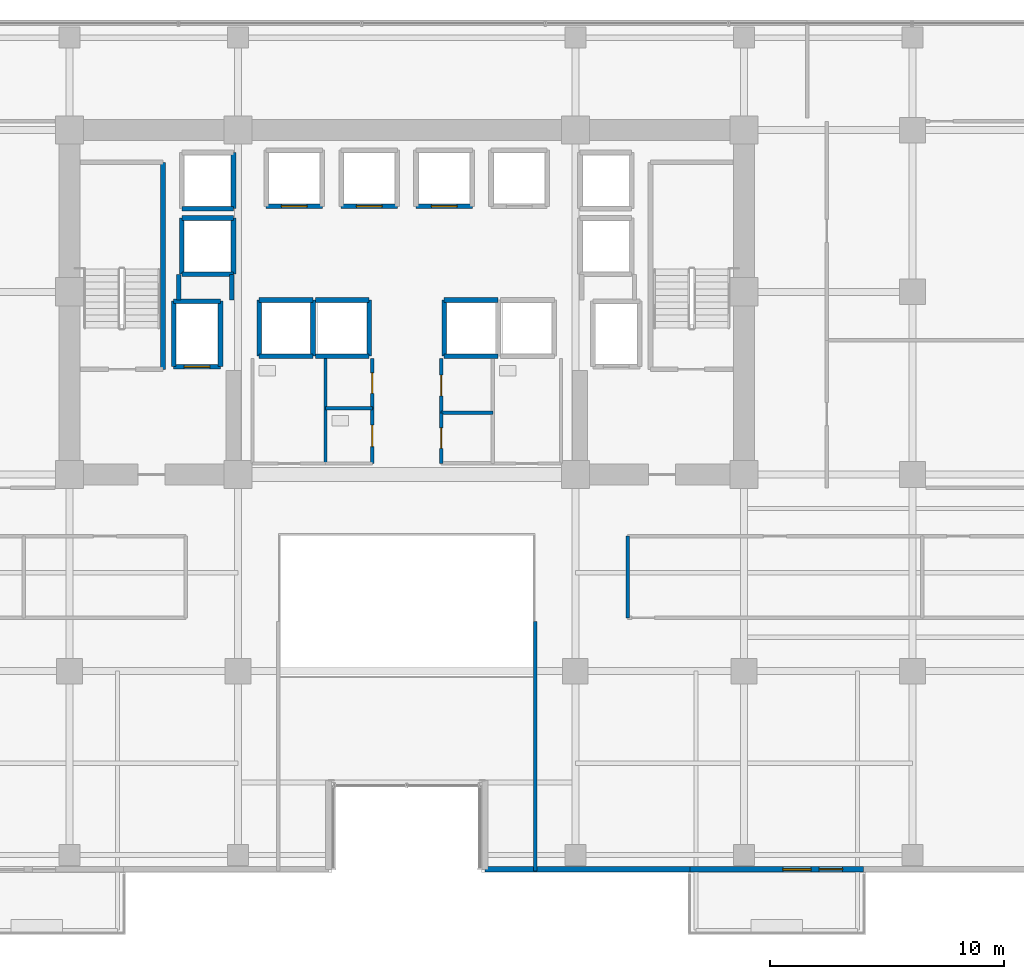
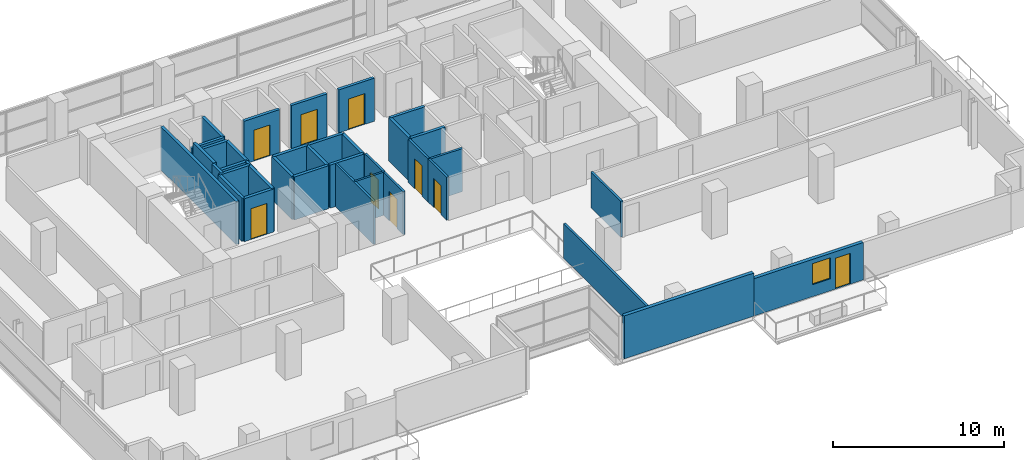
# One storey, part 20 of 26: 37 walls, 9 doors, 1 window, 10 openings.
"""IFC4 building model written with IfcOpenShell, lengths in metres."""

from ifc_helpers import new_model, si_unit, direction, frame, frame_2d, origin, place, context, subcontext, project, spatial, rectangle, extrude, source, transform, mapped, material, layer, layer_set, type_object, element, fill, save


model = new_model("IFC4")

# Units and contexts
model_context = context("Model", 3, precision=1e-05, world=origin(), true_north=direction((0.0, 1.0)))
body_context = subcontext(model_context, "Body", "Model", "MODEL_VIEW")
ifc_project = project(units=[si_unit("LENGTHUNIT", "METRE"), si_unit("AREAUNIT", "SQUARE_METRE"), si_unit("VOLUMEUNIT", "CUBIC_METRE"), si_unit("PLANEANGLEUNIT", "RADIAN"), si_unit("MASSUNIT", "GRAM", prefix="KILO")], contexts=[model_context])

# Site, building, storey
site_placement = place(None, origin())
site = spatial("IfcSite", under=ifc_project, at=site_placement, CompositionType="ELEMENT")
building_placement = place(site_placement, origin())
building = spatial("IfcBuilding", under=site, at=building_placement, Name="Zarnakvel Exchange Tower", CompositionType="ELEMENT")
storey_placement = place(building_placement, frame((0.0, 0.0, 63.699951171875)))
storey = spatial("IfcBuildingStorey", under=building, at=storey_placement, Name="L17", CompositionType="ELEMENT", Elevation=63.699951171875)

# Wall, openings, door, window
ifc_material_1 = material(Name="Precast concrete C40/50", Category="concrete")
ifc_layer_1 = layer(ifc_material_1, 0.239990234375)
ifc_layer_set_1 = layer_set([ifc_layer_1], Name="Precast concrete C40/50")
wall_type_1 = type_object("IfcWallType", Name="EW-02", PredefinedType="SOLIDWALL", material=ifc_layer_set_1)
wall_1_placement = place(storey_placement, frame((19.5, -18.06005859375, 0.0), z_axis=(0.0, 0.0, 1.0), x_axis=(-1.0, 0.0, 0.0)))
wall_1 = element("IfcWall", 1, at=wall_1_placement, inside=storey, type_object=wall_type_1, Name="L17 Exterior Precast Spandrel Wall EW-BAL-L17-SE (EW-02)", PredefinedType="SOLIDWALL", context=body_context, shape_type="SweptSolid", body=[
    extrude(rectangle(XDim=7.39990234375, YDim=0.239990234375, at=frame_2d((3.699951171875, 0.0))), origin(), (0.0, 0.0, 1.0), 2.6650390625),
])
opening_1_placement = place(wall_1_placement, frame((0.887939453125, 0.0, 0.0)))
opening_1 = element("IfcOpeningElement", 2, at=opening_1_placement, cuts=wall_1, Name="Opening BD-L17-02", PredefinedType="OPENING", context=body_context, shape_type="SweptSolid", body=[
    extrude(rectangle(XDim=1.0, YDim=2.199951171875, at=frame_2d((0.5, 1.10009765625))), frame((0.0, 0.1298828125, 0.0), z_axis=(0.0, -1.0, 0.0), x_axis=(1.0, 0.0, 0.0)), (0.0, 0.0, 1.0), 0.260009765625),
])
opening_2_placement = place(wall_1_placement, frame((2.238037109375, 0.0, 0.85009765625)))
opening_2 = element("IfcOpeningElement", 3, at=opening_2_placement, cuts=wall_1, Name="Opening WN-04", PredefinedType="OPENING", context=body_context, shape_type="SweptSolid", body=[
    extrude(rectangle(XDim=1.199951171875, YDim=1.5, at=frame_2d((0.60009765625, 0.75))), frame((0.0, 0.1298828125, 0.0), z_axis=(0.0, -1.0, 0.0), x_axis=(1.0, 0.0, 0.0)), (0.0, 0.0, 1.0), 0.260009765625),
])
ifc_material_2 = material(Name="Architectural Bronze Anodised Aluminium", Category="aluminium")
door_type_1 = type_object("IfcDoorType", Name="DT-09", OperationType="NOTDEFINED", PredefinedType="DOOR", material=ifc_material_2)
shared_shape_1 = source(origin(), body_context, "Body", "SweptSolid", [
    extrude(rectangle(XDim=1.0, YDim=2.199951171875, at=frame_2d((0.5, 1.10009765625))), frame((0.0, 0.02490234375, 0.0), z_axis=(0.0, -1.0, 0.0), x_axis=(1.0, 0.0, 0.0)), (0.0, 0.0, 1.0), 0.050048828125),
])
door_1_placement = place(opening_1_placement, origin())
door_1 = element("IfcDoor", 4, at=door_1_placement, inside=storey, type_object=door_type_1, Name="L17 Planted Loggia Balcony Door BD-L17-02", OperationType="SINGLE_SWING_RIGHT", OverallHeight=2.199951171875, OverallWidth=1.0, PredefinedType="DOOR", context=body_context, shape_type="MappedRepresentation", body=[
    mapped(shared_shape_1, transform((0.0, 0.0, 0.0), x_axis=(1.0, 0.0, 0.0), y_axis=(0.0, 1.0, 0.0), z_axis=(0.0, 0.0, 1.0), scale=1.0)),
])
fill(opening_1, door_1)
ifc_material_3 = material(Name="Double Low-E Laminated Vision Glass", Category="glass")
window_type = type_object("IfcWindowType", Name="WN-04", PartitioningType="SINGLE_PANEL", PredefinedType="WINDOW", material=ifc_material_3)
shared_shape_2 = source(origin(), body_context, "Body", "SweptSolid", [
    extrude(rectangle(XDim=1.199951171875, YDim=1.5, at=frame_2d((0.60009765625, 0.75))), frame((0.0, 0.030029296875, 0.0), z_axis=(0.0, -1.0, 0.0), x_axis=(1.0, 0.0, 0.0)), (0.0, 0.0, 1.0), 0.06005859375),
])
window_placement = place(opening_2_placement, origin())
window = element("IfcWindow", 5, at=window_placement, inside=storey, type_object=window_type, Name="L17 Loggia Daylight Window (WN-04)", OverallHeight=1.5, OverallWidth=1.199951171875, PartitioningType="SINGLE_PANEL", PredefinedType="WINDOW", context=body_context, shape_type="MappedRepresentation", body=[
    mapped(shared_shape_2, transform((0.0, 0.0, 0.0), x_axis=(1.0, 0.0, 0.0), y_axis=(0.0, 1.0, 0.0), z_axis=(0.0, 0.0, 1.0), scale=1.0)),
])
fill(opening_2, window)

# Wall
wall_2_placement = place(storey_placement, frame((3.340087890625, -18.06005859375, 0.0), z_axis=(0.0, 0.0, 1.0), x_axis=(1.0, 0.0, 0.0)))
element("IfcWall", 6, at=wall_2_placement, inside=storey, type_object=wall_type_1, Name="L17 Exterior Precast Spandrel Wall EWC-L17-16 (EW-02)", PredefinedType="SOLIDWALL", context=body_context, shape_type="SweptSolid", body=[
    extrude(rectangle(XDim=8.760009765625, YDim=0.239990234375, at=frame_2d((4.3798828125, 0.0))), origin(), (0.0, 0.0, 1.0), 3.074951171875),
])

# Wall, opening, door
ifc_material_4 = material(Name="Fire-Rated Gypsum Stud Partition", Category="gypsum")
ifc_layer_2 = layer(ifc_material_4, 0.14990234375)
ifc_layer_set_2 = layer_set([ifc_layer_2], Name="Fire-Rated Gypsum Stud Partition")
wall_type_2 = type_object("IfcWallType", Name="PT-01", PredefinedType="PARTITIONING", material=ifc_layer_set_2)
wall_3_placement = place(storey_placement, frame((-1.469970703125, 3.760009765625, 0.0), z_axis=(0.0, 0.0, 1.0), x_axis=(0.0, -1.0, 0.0)))
wall_3 = element("IfcWall", 7, at=wall_3_placement, inside=storey, type_object=wall_type_2, Name="L17 Partition Wall PWALL-L17-017 (PT-01)", PredefinedType="PARTITIONING", context=body_context, shape_type="SweptSolid", body=[
    extrude(rectangle(XDim=2.130126953125, YDim=0.14990234375, at=frame_2d((1.06494140625, 0.0))), origin(), (0.0, 0.0, 1.0), 3.074951171875),
])
opening_3_placement = place(wall_3_placement, frame((0.6201171875, 0.0, 0.0)))
opening_3 = element("IfcOpeningElement", 8, at=opening_3_placement, cuts=wall_3, Name="Opening D-L17-07", PredefinedType="OPENING", context=body_context, shape_type="SweptSolid", body=[
    extrude(rectangle(XDim=0.8798828125, YDim=2.10009765625, at=frame_2d((0.43994140625, 1.050048828125))), frame((0.0, 0.0849609375, 0.0), z_axis=(0.0, -1.0, 0.0), x_axis=(1.0, 0.0, 0.0)), (0.0, 0.0, 1.0), 0.169921875),
])
ifc_material_5 = material(Name="Painted Galvanised Steel S355", Category="steel")
door_type_2 = type_object("IfcDoorType", Name="DT-08", OperationType="NOTDEFINED", PredefinedType="DOOR", material=ifc_material_5)
shared_shape_3 = source(origin(), body_context, "Body", "SweptSolid", [
    extrude(rectangle(XDim=0.8798828125, YDim=2.10009765625, at=frame_2d((0.43994140625, 1.050048828125))), frame((0.0, 0.02490234375, 0.0), z_axis=(0.0, -1.0, 0.0), x_axis=(1.0, 0.0, 0.0)), (0.0, 0.0, 1.0), 0.050048828125),
])
door_2_placement = place(opening_3_placement, origin())
door_2 = element("IfcDoor", 9, at=door_2_placement, inside=storey, type_object=door_type_2, Name="L17 Core Comms Room Door D-L17-07", OperationType="SINGLE_SWING_LEFT", OverallHeight=2.10009765625, OverallWidth=0.8798828125, PredefinedType="DOOR", context=body_context, shape_type="MappedRepresentation", body=[
    mapped(shared_shape_3, transform((0.0, 0.0, 0.0), x_axis=(1.0, 0.0, 0.0), y_axis=(0.0, 1.0, 0.0), z_axis=(0.0, 0.0, 1.0), scale=1.0)),
])
fill(opening_3, door_2)

# Wall
wall_4_placement = place(storey_placement, frame((1.469970703125, 1.429931640625, 0.0), z_axis=(0.0, 0.0, 1.0), x_axis=(1.0, 0.0, 0.0)))
element("IfcWall", 10, at=wall_4_placement, inside=storey, type_object=wall_type_2, Name="L17 Partition Wall PWALL-L17-019 (PT-01)", PredefinedType="PARTITIONING", context=body_context, shape_type="SweptSolid", body=[
    extrude(rectangle(XDim=2.2099609375, YDim=0.14990234375, at=frame_2d((1.10498046875, 0.0))), origin(), (0.0, 0.0, 1.0), 3.074951171875),
])

# Wall, opening, door
wall_5_placement = place(storey_placement, frame((1.469970703125, -0.72998046875, 0.0), z_axis=(0.0, 0.0, 1.0), x_axis=(0.0, 1.0, 0.0)))
wall_5 = element("IfcWall", 11, at=wall_5_placement, inside=storey, type_object=wall_type_2, Name="L17 Partition Wall PWALL-L17-020 (PT-01)", PredefinedType="PARTITIONING", context=body_context, shape_type="SweptSolid", body=[
    extrude(rectangle(XDim=2.159912109375, YDim=0.14990234375, at=frame_2d((1.080078125, 0.0))), origin(), (0.0, 0.0, 1.0), 3.074951171875),
])
opening_4_placement = place(wall_5_placement, frame((0.639892578125, 0.0, 0.0)))
opening_4 = element("IfcOpeningElement", 12, at=opening_4_placement, cuts=wall_5, Name="Opening D-L17-08", PredefinedType="OPENING", context=body_context, shape_type="SweptSolid", body=[
    extrude(rectangle(XDim=0.8798828125, YDim=2.10009765625, at=frame_2d((0.43994140625, 1.050048828125))), frame((0.0, 0.0849609375, 0.0), z_axis=(0.0, -1.0, 0.0), x_axis=(1.0, 0.0, 0.0)), (0.0, 0.0, 1.0), 0.169921875),
])
door_3_placement = place(opening_4_placement, origin())
door_3 = element("IfcDoor", 13, at=door_3_placement, inside=storey, type_object=door_type_2, Name="L17 Janitor Store Door D-L17-08", OperationType="SINGLE_SWING_RIGHT", OverallHeight=2.10009765625, OverallWidth=0.8798828125, PredefinedType="DOOR", context=body_context, shape_type="MappedRepresentation", body=[
    mapped(shared_shape_3, transform((0.0, 0.0, 0.0), x_axis=(1.0, 0.0, 0.0), y_axis=(0.0, 1.0, 0.0), z_axis=(0.0, 0.0, 1.0), scale=1.0)),
])
fill(opening_4, door_3)

wall_6_placement = place(storey_placement, frame((1.469970703125, 1.429931640625, 0.0), z_axis=(0.0, 0.0, 1.0), x_axis=(0.0, 1.0, 0.0)))
wall_6 = element("IfcWall", 14, at=wall_6_placement, inside=storey, type_object=wall_type_2, Name="L17 Partition Wall PWALL-L17-022 (PT-01)", PredefinedType="PARTITIONING", context=body_context, shape_type="SweptSolid", body=[
    extrude(rectangle(XDim=2.330078125, YDim=0.14990234375, at=frame_2d((1.1650390625, 0.0))), origin(), (0.0, 0.0, 1.0), 3.074951171875),
])
opening_5_placement = place(wall_6_placement, frame((0.72998046875, 0.0, 0.0)))
opening_5 = element("IfcOpeningElement", 15, at=opening_5_placement, cuts=wall_6, Name="Opening D-L17-09", PredefinedType="OPENING", context=body_context, shape_type="SweptSolid", body=[
    extrude(rectangle(XDim=0.8798828125, YDim=2.14990234375, at=frame_2d((0.43994140625, 1.074951171875))), frame((0.0, 0.0849609375, 0.0), z_axis=(0.0, -1.0, 0.0), x_axis=(1.0, 0.0, 0.0)), (0.0, 0.0, 1.0), 0.169921875),
])
ifc_material_6 = material(Name="Timber Acoustic Veneer", Category="wood")
door_type_3 = type_object("IfcDoorType", Name="DT-05", OperationType="NOTDEFINED", PredefinedType="DOOR", material=ifc_material_6)
shared_shape_4 = source(origin(), body_context, "Body", "SweptSolid", [
    extrude(rectangle(XDim=0.8798828125, YDim=2.14990234375, at=frame_2d((0.43994140625, 1.074951171875))), frame((0.0, 0.02490234375, 0.0), z_axis=(0.0, -1.0, 0.0), x_axis=(1.0, 0.0, 0.0)), (0.0, 0.0, 1.0), 0.050048828125),
])
door_4_placement = place(opening_5_placement, origin())
door_4 = element("IfcDoor", 16, at=door_4_placement, inside=storey, type_object=door_type_3, Name="L17 Stationery Store Door D-L17-09", OperationType="SINGLE_SWING_LEFT", OverallHeight=2.14990234375, OverallWidth=0.8798828125, PredefinedType="DOOR", context=body_context, shape_type="MappedRepresentation", body=[
    mapped(shared_shape_4, transform((0.0, 0.0, 0.0), x_axis=(1.0, 0.0, 0.0), y_axis=(0.0, 1.0, 0.0), z_axis=(0.0, 0.0, 1.0), scale=1.0)),
])
fill(opening_5, door_4)

# Walls
wall_7_placement = place(storey_placement, frame((9.429931640625, -7.320068359375, 0.0), z_axis=(0.0, 0.0, 1.0), x_axis=(0.0, 1.0, 0.0)))
element("IfcWall", 17, at=wall_7_placement, inside=storey, type_object=wall_type_2, Name="L17 Partition Wall PWALL-L17-041 (PT-01)", PredefinedType="PARTITIONING", context=body_context, shape_type="SweptSolid", body=[
    extrude(rectangle(XDim=3.489990234375, YDim=0.14990234375, at=frame_2d((1.7451171875, 0.0))), origin(), (0.0, 0.0, 1.0), 2.56494140625),
])
wall_8_placement = place(storey_placement, frame((5.47998046875, -18.1298828125, 0.0), z_axis=(0.0, 0.0, 1.0), x_axis=(0.0, 1.0, 0.0)))
element("IfcWall", 18, at=wall_8_placement, inside=storey, type_object=wall_type_2, Name="L17 Partition Wall PWALL-L17-047 (PT-01)", PredefinedType="PARTITIONING", context=body_context, shape_type="SweptSolid", body=[
    extrude(rectangle(XDim=10.64990234375, YDim=0.14990234375, at=frame_2d((5.324951171875, 0.0))), origin(), (0.0, 0.0, 1.0), 2.465087890625),
])
ifc_layer_3 = layer(ifc_material_4, 0.179931640625)
ifc_layer_set_3 = layer_set([ifc_layer_3], Name="Fire-Rated Gypsum Stud Partition")
wall_type_3 = type_object("IfcWallType", Name="PT-02", PredefinedType="PARTITIONING", material=ifc_layer_set_3)
wall_9_placement = place(storey_placement, frame((-9.72998046875, 6.239990234375, 0.0), z_axis=(0.0, 0.0, 1.0), x_axis=(0.0, 1.0, 0.0)))
element("IfcWall", 19, at=wall_9_placement, inside=storey, type_object=wall_type_3, Name="L17 Partition Wall PWALL-L17-007 (PT-02)", PredefinedType="PARTITIONING", context=body_context, shape_type="SweptSolid", body=[
    extrude(rectangle(XDim=1.090087890625, YDim=0.179931640625, at=frame_2d((0.544921875, 0.0))), origin(), (0.0, 0.0, 1.0), 3.074951171875),
])
wall_10_placement = place(storey_placement, frame((-7.469970703125, 7.330078125, 0.0), z_axis=(0.0, 0.0, 1.0), x_axis=(0.0, -1.0, 0.0)))
element("IfcWall", 20, at=wall_10_placement, inside=storey, type_object=wall_type_3, Name="L17 Partition Wall PWALL-L17-008 (PT-02)", PredefinedType="PARTITIONING", context=body_context, shape_type="SweptSolid", body=[
    extrude(rectangle(XDim=1.090087890625, YDim=0.179931640625, at=frame_2d((0.544921875, 0.0))), origin(), (0.0, 0.0, 1.0), 2.465087890625),
])
ifc_material_7 = material(Name="Moisture-Resistant Tile-Faced Partition", Category="gypsum")
ifc_layer_4 = layer(ifc_material_7, 0.135009765625)
ifc_layer_set_4 = layer_set([ifc_layer_4], Name="Moisture-Resistant Tile-Faced Partition")
wall_type_4 = type_object("IfcWallType", Name="PT-03", PredefinedType="PARTITIONING", material=ifc_layer_set_4)
wall_11_placement = place(storey_placement, frame((-3.469970703125, 3.760009765625, 0.0), z_axis=(0.0, 0.0, 1.0), x_axis=(0.0, -1.0, 0.0)))
element("IfcWall", 21, at=wall_11_placement, inside=storey, type_object=wall_type_4, Name="L17 Partition Wall PWALL-L17-013 (PT-03)", PredefinedType="PARTITIONING", context=body_context, shape_type="SweptSolid", body=[
    extrude(rectangle(XDim=4.489990234375, YDim=0.135009765625, at=frame_2d((2.2451171875, 0.0))), origin(), (0.0, 0.0, 1.0), 3.074951171875),
])
wall_12_placement = place(storey_placement, frame((-3.469970703125, 1.6298828125, 0.0), z_axis=(0.0, 0.0, 1.0), x_axis=(1.0, 0.0, 0.0)))
element("IfcWall", 22, at=wall_12_placement, inside=storey, type_object=wall_type_4, Name="L17 Partition Wall PWALL-L17-015 (PT-03)", PredefinedType="PARTITIONING", context=body_context, shape_type="SweptSolid", body=[
    extrude(rectangle(XDim=2.0, YDim=0.135009765625, at=frame_2d((1.0, 0.0))), origin(), (0.0, 0.0, 1.0), 3.074951171875),
])

# Wall, opening, door
wall_13_placement = place(storey_placement, frame((-1.469970703125, 1.6298828125, 0.0), z_axis=(0.0, 0.0, 1.0), x_axis=(0.0, -1.0, 0.0)))
wall_13 = element("IfcWall", 23, at=wall_13_placement, inside=storey, type_object=wall_type_4, Name="L17 Partition Wall PWALL-L17-016 (PT-03)", PredefinedType="PARTITIONING", context=body_context, shape_type="SweptSolid", body=[
    extrude(rectangle(XDim=2.35986328125, YDim=0.135009765625, at=frame_2d((1.179931640625, 0.0))), origin(), (0.0, 0.0, 1.0), 3.074951171875),
])
opening_6_placement = place(wall_13_placement, frame((0.719970703125, 0.0, 0.0)))
opening_6 = element("IfcOpeningElement", 24, at=opening_6_placement, cuts=wall_13, Name="Opening D-L17-06", PredefinedType="OPENING", context=body_context, shape_type="SweptSolid", body=[
    extrude(rectangle(XDim=0.919921875, YDim=2.10009765625, at=frame_2d((0.4599609375, 1.050048828125))), frame((0.0, 0.077392578125, 0.0), z_axis=(0.0, -1.0, 0.0), x_axis=(1.0, 0.0, 0.0)), (0.0, 0.0, 1.0), 0.155029296875),
])
ifc_material_8 = material(Name="Moisture-Resistant Laminate Timber", Category="wood")
door_type_4 = type_object("IfcDoorType", Name="DT-07", OperationType="NOTDEFINED", PredefinedType="DOOR", material=ifc_material_8)
shared_shape_5 = source(origin(), body_context, "Body", "SweptSolid", [
    extrude(rectangle(XDim=0.919921875, YDim=2.10009765625, at=frame_2d((0.4599609375, 1.050048828125))), frame((0.0, 0.02490234375, 0.0), z_axis=(0.0, -1.0, 0.0), x_axis=(1.0, 0.0, 0.0)), (0.0, 0.0, 1.0), 0.050048828125),
])
door_5_placement = place(opening_6_placement, origin())
door_5 = element("IfcDoor", 25, at=door_5_placement, inside=storey, type_object=door_type_4, Name="L17 Accessible Toilet Door D-L17-06", OperationType="SINGLE_SWING_RIGHT", OverallHeight=2.10009765625, OverallWidth=0.919921875, PredefinedType="DOOR", context=body_context, shape_type="MappedRepresentation", body=[
    mapped(shared_shape_5, transform((0.0, 0.0, 0.0), x_axis=(1.0, 0.0, 0.0), y_axis=(0.0, 1.0, 0.0), z_axis=(0.0, 0.0, 1.0), scale=1.0)),
])
fill(opening_6, door_5)

ifc_material_9 = material(Name="Concrete C40/50", Category="concrete")
ifc_layer_5 = layer(ifc_material_9, 0.199951171875)
ifc_layer_set_5 = layer_set([ifc_layer_5], Name="Concrete C40/50")
wall_type_5 = type_object("IfcWallType", Name="SW-01", PredefinedType="SOLIDWALL", material=ifc_layer_set_5)
wall_14_placement = place(storey_placement, frame((-7.949951171875, 3.39990234375, 0.0), z_axis=(0.0, 0.0, 1.0), x_axis=(-1.0, 0.0, 0.0)))
wall_14 = element("IfcWall", 26, at=wall_14_placement, inside=storey, type_object=wall_type_5, Name="L17 FL-01 Hoistway Wall South", PredefinedType="SOLIDWALL", context=body_context, shape_type="SweptSolid", body=[
    extrude(rectangle(XDim=2.0, YDim=0.199951171875, at=frame_2d((1.0, 0.0))), origin(), (0.0, 0.0, 1.0), 3.074951171875),
])
opening_7_placement = place(wall_14_placement, frame((0.449951171875, 0.0, 0.0)))
opening_7 = element("IfcOpeningElement", 27, at=opening_7_placement, cuts=wall_14, Name="Opening LD-FL-01-L17", PredefinedType="OPENING", context=body_context, shape_type="SweptSolid", body=[
    extrude(rectangle(XDim=1.10009765625, YDim=2.199951171875, at=frame_2d((0.550048828125, 1.10009765625))), frame((0.0, 0.10986328125, 0.0), z_axis=(0.0, -1.0, 0.0), x_axis=(1.0, 0.0, 0.0)), (0.0, 0.0, 1.0), 0.219970703125),
])
ifc_material_10 = material(Name="Brushed Stainless Steel", Category="steel")
door_type_5 = type_object("IfcDoorType", Name="LDT-01", OperationType="NOTDEFINED", PredefinedType="DOOR", material=ifc_material_10)
shared_shape_6 = source(origin(), body_context, "Body", "SweptSolid", [
    extrude(rectangle(XDim=1.10009765625, YDim=2.199951171875, at=frame_2d((0.550048828125, 1.10009765625))), frame((0.0, 0.02490234375, 0.0), z_axis=(0.0, -1.0, 0.0), x_axis=(1.0, 0.0, 0.0)), (0.0, 0.0, 1.0), 0.050048828125),
])
door_6_placement = place(opening_7_placement, origin())
door_6 = element("IfcDoor", 28, at=door_6_placement, inside=storey, type_object=door_type_5, Name="L17 FL-01 Lift Landing Door LD-FL-01-L17", OperationType="DOUBLE_DOOR_SLIDING", OverallHeight=2.199951171875, OverallWidth=1.10009765625, PredefinedType="DOOR", context=body_context, shape_type="MappedRepresentation", body=[
    mapped(shared_shape_6, transform((0.0, 0.0, 0.0), x_axis=(1.0, 0.0, 0.0), y_axis=(0.0, 1.0, 0.0), z_axis=(0.0, 0.0, 1.0), scale=1.0)),
])
fill(opening_7, door_6)

# Walls
wall_15_placement = place(storey_placement, frame((-9.949951171875, 6.199951171875, 0.0), z_axis=(0.0, 0.0, 1.0), x_axis=(1.0, 0.0, 0.0)))
element("IfcWall", 29, at=wall_15_placement, inside=storey, type_object=wall_type_5, Name="L17 FL-01 Hoistway Wall North", PredefinedType="SOLIDWALL", context=body_context, shape_type="SweptSolid", body=[
    extrude(rectangle(XDim=2.0, YDim=0.199951171875, at=frame_2d((1.0, 0.0))), origin(), (0.0, 0.0, 1.0), 3.074951171875),
])
for number, where, z_axis, x_axis, name in (
    (30, (-9.949951171875, 3.39990234375, 0.0), (0.0, 0.0, 1.0), (0.0, 1.0, 0.0), "L17 FL-01 Hoistway Wall West"),
    (31, (-7.949951171875, 6.199951171875, 0.0), (0.0, 0.0, 1.0), (0.0, -1.0, 0.0), "L17 FL-01 Hoistway Wall East"),
):
    element("IfcWall", number, at=place(storey_placement, frame(where, z_axis=z_axis, x_axis=x_axis)), inside=storey, type_object=wall_type_5, Name=name, PredefinedType="SOLIDWALL", context=body_context, shape_type="SweptSolid", body=[
        extrude(rectangle(XDim=2.800048828125, YDim=0.199951171875, at=frame_2d((1.39990234375, 0.0))), origin(), (0.0, 0.0, 1.0), 3.074951171875),
    ])

# Wall, opening, door
wall_16_placement = place(storey_placement, frame((-3.60009765625, 10.25, 0.0), z_axis=(0.0, 0.0, 1.0), x_axis=(-1.0, 0.0, 0.0)))
wall_16 = element("IfcWall", 32, at=wall_16_placement, inside=storey, type_object=wall_type_5, Name="L17 PL-01 Hoistway Wall South", PredefinedType="SOLIDWALL", context=body_context, shape_type="SweptSolid", body=[
    extrude(rectangle(XDim=2.39990234375, YDim=0.199951171875, at=frame_2d((1.199951171875, 0.0))), origin(), (0.0, 0.0, 1.0), 3.074951171875),
])
opening_8_placement = place(wall_16_placement, frame((0.64990234375, 0.0, 0.0)))
opening_8 = element("IfcOpeningElement", 33, at=opening_8_placement, cuts=wall_16, Name="Opening LD-PL-01-L17", PredefinedType="OPENING", context=body_context, shape_type="SweptSolid", body=[
    extrude(rectangle(XDim=1.10009765625, YDim=2.199951171875, at=frame_2d((0.550048828125, 1.10009765625))), frame((0.0, 0.10986328125, 0.0), z_axis=(0.0, -1.0, 0.0), x_axis=(1.0, 0.0, 0.0)), (0.0, 0.0, 1.0), 0.219970703125),
])
door_type_6 = type_object("IfcDoorType", Name="LDT-02", OperationType="NOTDEFINED", PredefinedType="DOOR", material=ifc_material_2)
door_7_placement = place(opening_8_placement, origin())
door_7 = element("IfcDoor", 34, at=door_7_placement, inside=storey, type_object=door_type_6, Name="L17 PL-01 Lift Landing Door LD-PL-01-L17", OperationType="DOUBLE_DOOR_SLIDING", OverallHeight=2.199951171875, OverallWidth=1.10009765625, PredefinedType="DOOR", context=body_context, shape_type="MappedRepresentation", body=[
    mapped(shared_shape_6, transform((0.0, 0.0, 0.0), x_axis=(1.0, 0.0, 0.0), y_axis=(0.0, 1.0, 0.0), z_axis=(0.0, 0.0, 1.0), scale=1.0)),
])
fill(opening_8, door_7)

wall_17_placement = place(storey_placement, frame((-0.39990234375, 10.25, 0.0), z_axis=(0.0, 0.0, 1.0), x_axis=(-1.0, 0.0, 0.0)))
wall_17 = element("IfcWall", 35, at=wall_17_placement, inside=storey, type_object=wall_type_5, Name="L17 PL-02 Hoistway Wall South", PredefinedType="SOLIDWALL", context=body_context, shape_type="SweptSolid", body=[
    extrude(rectangle(XDim=2.400146484375, YDim=0.199951171875, at=frame_2d((1.2001953125, 0.0))), origin(), (0.0, 0.0, 1.0), 3.074951171875),
])
opening_9_placement = place(wall_17_placement, frame((0.64990234375, 0.0, 0.0)))
opening_9 = element("IfcOpeningElement", 36, at=opening_9_placement, cuts=wall_17, Name="Opening LD-PL-02-L17", PredefinedType="OPENING", context=body_context, shape_type="SweptSolid", body=[
    extrude(rectangle(XDim=1.10009765625, YDim=2.199951171875, at=frame_2d((0.550048828125, 1.10009765625))), frame((0.0, 0.10986328125, 0.0), z_axis=(0.0, -1.0, 0.0), x_axis=(1.0, 0.0, 0.0)), (0.0, 0.0, 1.0), 0.219970703125),
])
door_8_placement = place(opening_9_placement, origin())
door_8 = element("IfcDoor", 37, at=door_8_placement, inside=storey, type_object=door_type_6, Name="L17 PL-02 Lift Landing Door LD-PL-02-L17", OperationType="DOUBLE_DOOR_SLIDING", OverallHeight=2.199951171875, OverallWidth=1.10009765625, PredefinedType="DOOR", context=body_context, shape_type="MappedRepresentation", body=[
    mapped(shared_shape_6, transform((0.0, 0.0, 0.0), x_axis=(1.0, 0.0, 0.0), y_axis=(0.0, 1.0, 0.0), z_axis=(0.0, 0.0, 1.0), scale=1.0)),
])
fill(opening_9, door_8)

wall_18_placement = place(storey_placement, frame((2.800048828125, 10.25, 0.0), z_axis=(0.0, 0.0, 1.0), x_axis=(-1.0, 0.0, 0.0)))
wall_18 = element("IfcWall", 38, at=wall_18_placement, inside=storey, type_object=wall_type_5, Name="L17 PL-03 Hoistway Wall South", PredefinedType="SOLIDWALL", context=body_context, shape_type="SweptSolid", body=[
    extrude(rectangle(XDim=2.400146484375, YDim=0.199951171875, at=frame_2d((1.2001953125, 0.0))), origin(), (0.0, 0.0, 1.0), 3.074951171875),
])
opening_10_placement = place(wall_18_placement, frame((0.64990234375, 0.0, 0.0)))
opening_10 = element("IfcOpeningElement", 39, at=opening_10_placement, cuts=wall_18, Name="Opening LD-PL-03-L17", PredefinedType="OPENING", context=body_context, shape_type="SweptSolid", body=[
    extrude(rectangle(XDim=1.10009765625, YDim=2.199951171875, at=frame_2d((0.550048828125, 1.10009765625))), frame((0.0, 0.10986328125, 0.0), z_axis=(0.0, -1.0, 0.0), x_axis=(1.0, 0.0, 0.0)), (0.0, 0.0, 1.0), 0.219970703125),
])
door_9_placement = place(opening_10_placement, origin())
door_9 = element("IfcDoor", 40, at=door_9_placement, inside=storey, type_object=door_type_6, Name="L17 PL-03 Lift Landing Door LD-PL-03-L17", OperationType="DOUBLE_DOOR_SLIDING", OverallHeight=2.199951171875, OverallWidth=1.10009765625, PredefinedType="DOOR", context=body_context, shape_type="MappedRepresentation", body=[
    mapped(shared_shape_6, transform((0.0, 0.0, 0.0), x_axis=(1.0, 0.0, 0.0), y_axis=(0.0, 1.0, 0.0), z_axis=(0.0, 0.0, 1.0), scale=1.0)),
])
fill(opening_10, door_9)

# Walls
for number, where, z_axis, x_axis, name in (
    (41, (-4.0, 3.85009765625, 0.0), (0.0, 0.0, 1.0), (-1.0, 0.0, 0.0), "L17 PL-05 Hoistway Wall South"),
    (42, (-6.300048828125, 6.25, 0.0), (0.0, 0.0, 1.0), (1.0, 0.0, 0.0), "L17 PL-05 Hoistway Wall North"),
):
    element("IfcWall", number, at=place(storey_placement, frame(where, z_axis=z_axis, x_axis=x_axis)), inside=storey, type_object=wall_type_5, Name=name, PredefinedType="SOLIDWALL", context=body_context, shape_type="SweptSolid", body=[
        extrude(rectangle(XDim=2.300048828125, YDim=0.199951171875, at=frame_2d((1.14990234375, 0.0))), origin(), (0.0, 0.0, 1.0), 3.074951171875),
    ])
for number, where, z_axis, x_axis, name in (
    (43, (-6.300048828125, 3.85009765625, 0.0), (0.0, 0.0, 1.0), (0.0, 1.0, 0.0), "L17 PL-05 Hoistway Wall West"),
    (44, (-4.0, 6.25, 0.0), (0.0, 0.0, 1.0), (0.0, -1.0, 0.0), "L17 PL-05 Hoistway Wall East"),
):
    element("IfcWall", number, at=place(storey_placement, frame(where, z_axis=z_axis, x_axis=x_axis)), inside=storey, type_object=wall_type_5, Name=name, PredefinedType="SOLIDWALL", context=body_context, shape_type="SweptSolid", body=[
        extrude(rectangle(XDim=2.39990234375, YDim=0.199951171875, at=frame_2d((1.199951171875, 0.0))), origin(), (0.0, 0.0, 1.0), 3.074951171875),
    ])
for number, where, z_axis, x_axis, name in (
    (45, (-1.60009765625, 3.85009765625, 0.0), (0.0, 0.0, 1.0), (-1.0, 0.0, 0.0), "L17 PL-06 Hoistway Wall South"),
    (46, (-3.89990234375, 6.25, 0.0), (0.0, 0.0, 1.0), (1.0, 0.0, 0.0), "L17 PL-06 Hoistway Wall North"),
):
    element("IfcWall", number, at=place(storey_placement, frame(where, z_axis=z_axis, x_axis=x_axis)), inside=storey, type_object=wall_type_5, Name=name, PredefinedType="SOLIDWALL", context=body_context, shape_type="SweptSolid", body=[
        extrude(rectangle(XDim=2.2998046875, YDim=0.199951171875, at=frame_2d((1.14990234375, 0.0))), origin(), (0.0, 0.0, 1.0), 3.074951171875),
    ])
wall_19_placement = place(storey_placement, frame((-1.60009765625, 6.25, 0.0), z_axis=(0.0, 0.0, 1.0), x_axis=(0.0, -1.0, 0.0)))
element("IfcWall", 47, at=wall_19_placement, inside=storey, type_object=wall_type_5, Name="L17 PL-06 Hoistway Wall East", PredefinedType="SOLIDWALL", context=body_context, shape_type="SweptSolid", body=[
    extrude(rectangle(XDim=2.39990234375, YDim=0.199951171875, at=frame_2d((1.199951171875, 0.0))), origin(), (0.0, 0.0, 1.0), 3.074951171875),
])
for number, where, z_axis, x_axis, name in (
    (48, (3.89990234375, 3.85009765625, 0.0), (0.0, 0.0, 1.0), (-1.0, 0.0, 0.0), "L17 PL-07 Hoistway Wall South"),
    (49, (1.60009765625, 6.25, 0.0), (0.0, 0.0, 1.0), (1.0, 0.0, 0.0), "L17 PL-07 Hoistway Wall North"),
):
    element("IfcWall", number, at=place(storey_placement, frame(where, z_axis=z_axis, x_axis=x_axis)), inside=storey, type_object=wall_type_5, Name=name, PredefinedType="SOLIDWALL", context=body_context, shape_type="SweptSolid", body=[
        extrude(rectangle(XDim=2.2998046875, YDim=0.199951171875, at=frame_2d((1.14990234375, 0.0))), origin(), (0.0, 0.0, 1.0), 3.074951171875),
    ])
wall_20_placement = place(storey_placement, frame((1.60009765625, 3.85009765625, 0.0), z_axis=(0.0, 0.0, 1.0), x_axis=(0.0, 1.0, 0.0)))
element("IfcWall", 50, at=wall_20_placement, inside=storey, type_object=wall_type_5, Name="L17 PL-07 Hoistway Wall West", PredefinedType="SOLIDWALL", context=body_context, shape_type="SweptSolid", body=[
    extrude(rectangle(XDim=2.39990234375, YDim=0.199951171875, at=frame_2d((1.199951171875, 0.0))), origin(), (0.0, 0.0, 1.0), 3.074951171875),
])
for number, where, z_axis, x_axis, name in (
    (51, (-7.39990234375, 7.35009765625, 0.0), (0.0, 0.0, 1.0), (-1.0, 0.0, 0.0), "L17 PL-09 Hoistway Wall South"),
    (52, (-9.60009765625, 9.75, 0.0), (0.0, 0.0, 1.0), (1.0, 0.0, 0.0), "L17 PL-09 Hoistway Wall North"),
):
    element("IfcWall", number, at=place(storey_placement, frame(where, z_axis=z_axis, x_axis=x_axis)), inside=storey, type_object=wall_type_5, Name=name, PredefinedType="SOLIDWALL", context=body_context, shape_type="SweptSolid", body=[
        extrude(rectangle(XDim=2.2001953125, YDim=0.199951171875, at=frame_2d((1.10009765625, 0.0))), origin(), (0.0, 0.0, 1.0), 2.465087890625),
    ])
wall_21_placement = place(storey_placement, frame((-9.60009765625, 7.35009765625, 0.0), z_axis=(0.0, 0.0, 1.0), x_axis=(0.0, 1.0, 0.0)))
element("IfcWall", 53, at=wall_21_placement, inside=storey, type_object=wall_type_5, Name="L17 PL-09 Hoistway Wall West", PredefinedType="SOLIDWALL", context=body_context, shape_type="SweptSolid", body=[
    extrude(rectangle(XDim=2.39990234375, YDim=0.199951171875, at=frame_2d((1.199951171875, 0.0))), origin(), (0.0, 0.0, 1.0), 3.074951171875),
])
wall_22_placement = place(storey_placement, frame((-7.39990234375, 9.75, 0.0), z_axis=(0.0, 0.0, 1.0), x_axis=(0.0, -1.0, 0.0)))
element("IfcWall", 54, at=wall_22_placement, inside=storey, type_object=wall_type_5, Name="L17 PL-09 Hoistway Wall East", PredefinedType="SOLIDWALL", context=body_context, shape_type="SweptSolid", body=[
    extrude(rectangle(XDim=2.39990234375, YDim=0.199951171875, at=frame_2d((1.199951171875, 0.0))), origin(), (0.0, 0.0, 1.0), 2.465087890625),
])
wall_23_placement = place(storey_placement, frame((-7.39990234375, 10.14990234375, 0.0), z_axis=(0.0, 0.0, 1.0), x_axis=(-1.0, 0.0, 0.0)))
element("IfcWall", 55, at=wall_23_placement, inside=storey, type_object=wall_type_5, Name="L17 PL-10 Hoistway Wall South", PredefinedType="SOLIDWALL", context=body_context, shape_type="SweptSolid", body=[
    extrude(rectangle(XDim=2.2001953125, YDim=0.199951171875, at=frame_2d((1.10009765625, 0.0))), origin(), (0.0, 0.0, 1.0), 2.465087890625),
])
wall_24_placement = place(storey_placement, frame((-7.39990234375, 12.550048828125, 0.0), z_axis=(0.0, 0.0, 1.0), x_axis=(0.0, -1.0, 0.0)))
element("IfcWall", 56, at=wall_24_placement, inside=storey, type_object=wall_type_5, Name="L17 PL-10 Hoistway Wall East", PredefinedType="SOLIDWALL", context=body_context, shape_type="SweptSolid", body=[
    extrude(rectangle(XDim=2.400146484375, YDim=0.199951171875, at=frame_2d((1.2001953125, 0.0))), origin(), (0.0, 0.0, 1.0), 2.465087890625),
])
ifc_layer_6 = layer(ifc_material_9, 0.199951171875)
ifc_layer_set_6 = layer_set([ifc_layer_6], Name="Concrete C40/50")
wall_type_6 = type_object("IfcWallType", Name="SW-02", PredefinedType="SOLIDWALL", material=ifc_layer_set_6)
wall_25_placement = place(storey_placement, frame((-10.409912109375, 12.1298828125, 0.0), z_axis=(0.0, 0.0, 1.0), x_axis=(0.0, -1.0, 0.0)))
element("IfcWall", 57, at=wall_25_placement, inside=storey, type_object=wall_type_6, Name="L17 Stairwell Core Wall PWALL-L17-003 (SW-02)", PredefinedType="SOLIDWALL", context=body_context, shape_type="SweptSolid", body=[
    extrude(rectangle(XDim=8.83984375, YDim=0.199951171875, at=frame_2d((4.419921875, 0.0))), origin(), (0.0, 0.0, 1.0), 3.074951171875),
])

save(model, "model.ifc")
